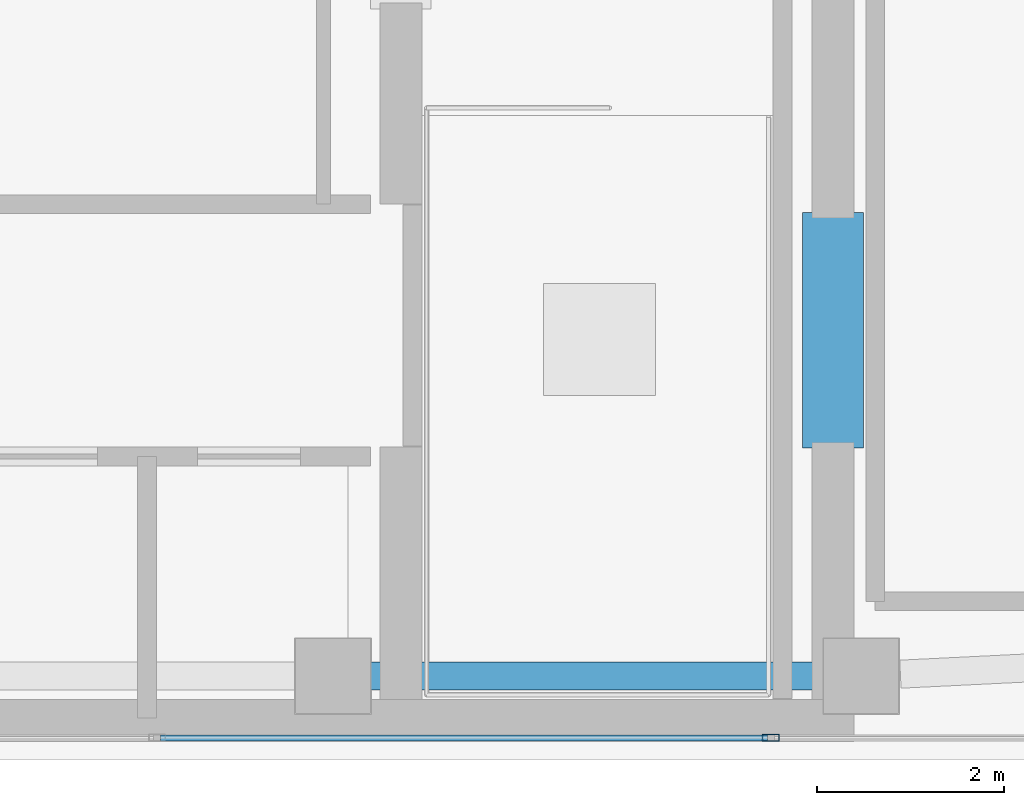
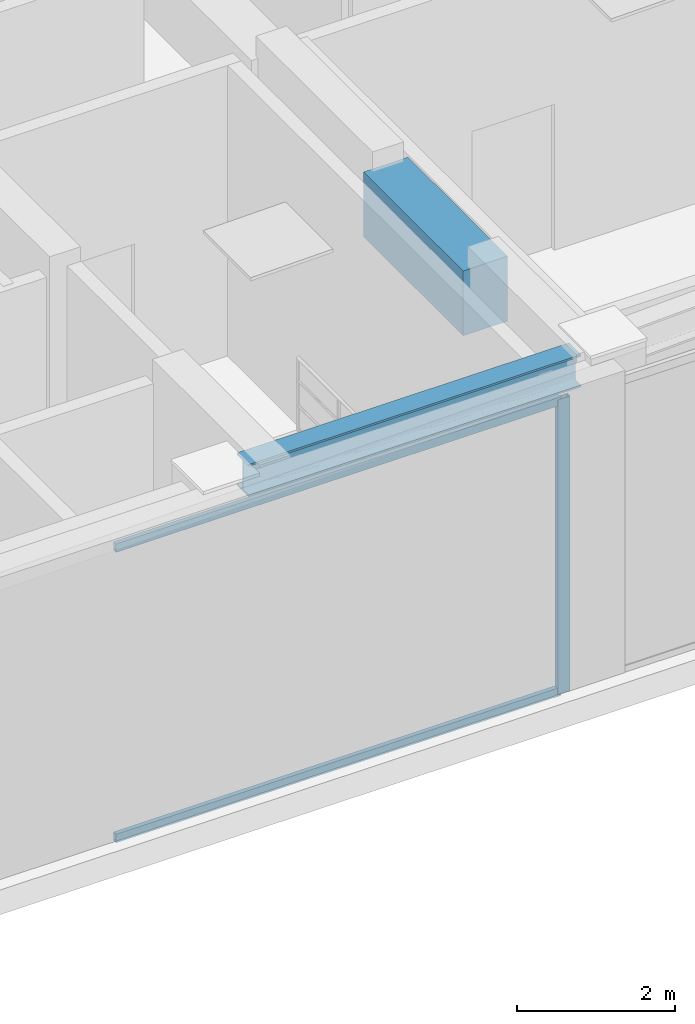
# One storey, part 3 of 22: 3 members, 2 beams, 1 element without a shape of its own.
"""IFC4 building model written with IfcOpenShell, lengths in metres."""

from ifc_helpers import new_model, si_unit, direction, frame, origin, origin_with_axes, origin_2d, place, context, subcontext, project, spatial, rectangle, hollow_rectangle, i_section, extrude, source, transform, mapped, material, layer, layer_set, material_profile, profile_set, type_object, element, aggregate, save


model = new_model("IFC4")

# Units and contexts
model_context = context("Model", 3, precision=1e-05, world=origin(), true_north=direction((0.0, 1.0)))
body_context = subcontext(model_context, "Body", "Model", "MODEL_VIEW")
ifc_project = project(units=[si_unit("LENGTHUNIT", "METRE"), si_unit("AREAUNIT", "SQUARE_METRE"), si_unit("VOLUMEUNIT", "CUBIC_METRE"), si_unit("PLANEANGLEUNIT", "RADIAN"), si_unit("MASSUNIT", "GRAM", prefix="KILO")], contexts=[model_context])

# Site, building, storey
site_placement = place(None, origin())
site = spatial("IfcSite", under=ifc_project, at=site_placement, CompositionType="ELEMENT")
building_placement = place(site_placement, origin())
building = spatial("IfcBuilding", under=site, at=building_placement, Name="Kolvaren Waterfront Exchange", CompositionType="ELEMENT")
storey_placement = place(building_placement, frame((0.0, 0.0, 360.39990234375)))
storey = spatial("IfcBuildingStorey", under=building, at=storey_placement, Name="RF", CompositionType="ELEMENT", Elevation=360.39990234375)

# Beams
ifc_material_1 = material(Name="Steel S355", Category="steel")
ifc_material_profile_1 = material_profile(ifc_material_1, i_section(OverallWidth=0.300048828125, OverallDepth=0.5, WebThickness=0.014404296875, FlangeThickness=0.028076171875, FilletRadius=0.027099609375, at=origin_2d()), Name="HEB500")
ifc_profile_set_1 = profile_set([ifc_material_profile_1], Name="Steel S355")
beam_type_1 = type_object("IfcBeamType", Name="STR-BM-HEB500", PredefinedType="BEAM", material=ifc_profile_set_1)
beam_1_placement = place(storey_placement, frame((15.85205078125, 4.89990234375, 4.434326171875), z_axis=(1.0, 0.0, 0.0), x_axis=(0.0, 1.0, 0.0)))
element("IfcBeam", 1, at=beam_1_placement, inside=storey, type_object=beam_type_1, Name="RF crown roof girder 2", PredefinedType="SPANDREL", context=body_context, shape_type="SweptSolid", body=[
    extrude(i_section(OverallWidth=0.300048828125, OverallDepth=0.5, WebThickness=0.014404296875, FlangeThickness=0.028076171875, FilletRadius=0.027099609375, at=origin_2d()), origin(), (0.0, 0.0, 1.0), 4.845947265625),
])
ifc_material_2 = material(Name="Concrete C60/75", Category="concrete")
ifc_material_profile_2 = material_profile(ifc_material_2, rectangle(XDim=0.64990234375, YDim=1.0, at=origin_2d()), Name="RC-CB-1000x650")
ifc_profile_set_2 = profile_set([ifc_material_profile_2], Name="Concrete C60/75")
beam_type_2 = type_object("IfcBeamType", Name="STR-CB-1000", PredefinedType="SPANDREL", material=ifc_profile_set_2)
beam_2_placement = place(storey_placement, frame((20.800048828125, 7.340087890625, 3.97998046875), z_axis=(0.0, 1.0, 0.0), x_axis=(-1.0, 0.0, 0.0)))
element("IfcBeam", 2, at=beam_2_placement, inside=storey, type_object=beam_type_2, Name="RF core coupling beam 1", PredefinedType="SPANDREL", context=body_context, shape_type="SweptSolid", body=[
    extrude(rectangle(XDim=0.64990234375, YDim=1.0, at=origin_2d()), origin(), (0.0, 0.0, 1.0), 2.52001953125),
])

# Curtain wall, members
ifc_material_3 = material(Name="Anodised bronze aluminium 6063-T6", Category="aluminium")
ifc_layer = layer(ifc_material_3, 0.219970703125, Name="Anodised bronze aluminium 6063-T6")
ifc_layer_set = layer_set([ifc_layer], Name="Anodised bronze aluminium 6063-T6")
curtain_wall_type = type_object("IfcCurtainWallType", Name="ARC-CW-SYS5", PredefinedType="USERDEFINED", material=ifc_layer_set)
curtain_wall_placement = place(storey_placement, origin())
curtain_wall = element("IfcCurtainWall", 3, at=curtain_wall_placement, inside=storey, type_object=curtain_wall_type, Name="RF stick curtain wall CW5 (CW-RF-S1)", ObjectType="STICK CURTAIN WALL", PredefinedType="USERDEFINED")
ifc_material_profile_3 = material_profile(ifc_material_3, hollow_rectangle(XDim=0.074951171875, YDim=0.179931640625, WallThickness=0.00439453125, at=origin_2d()), Name="ALU-MUL-180x75x4.5")
ifc_profile_set_3 = profile_set([ifc_material_profile_3], Name="Anodised bronze aluminium 6063-T6")
member_type_1 = type_object("IfcMemberType", Name="ARC-CWM-180", PredefinedType="MULLION", material=ifc_profile_set_3)
shared_shape_1 = source(origin_with_axes(), body_context, "Body", "SweptSolid", [
    extrude(hollow_rectangle(XDim=0.074951171875, YDim=0.179931640625, WallThickness=0.00439453125, at=origin_2d()), origin(), (0.0, 0.0, 1.0), 4.542236328125),
])
member_1_placement = place(storey_placement, frame((20.13330078125, 4.239990234375, 0.0), z_axis=(0.0, 0.0, 1.0), x_axis=(0.0, 1.0, 0.0)))
member_1 = element("IfcMember", 4, at=member_1_placement, type_object=member_type_1, Name="CW5 mullion 3", PredefinedType="MULLION", context=body_context, shape_type="MappedRepresentation", body=[
    mapped(shared_shape_1, transform((0.0, 0.0, 0.0), x_axis=(1.0, 0.0, 0.0), y_axis=(0.0, 1.0, 0.0), z_axis=(0.0, 0.0, 1.0), scale=1.0)),
])
ifc_material_profile_4 = material_profile(ifc_material_3, hollow_rectangle(XDim=0.06494140625, YDim=0.1298828125, WallThickness=0.00390625, at=origin_2d()), Name="ALU-TRN-130x65x4")
ifc_profile_set_4 = profile_set([ifc_material_profile_4], Name="Anodised bronze aluminium 6063-T6")
member_type_2 = type_object("IfcMemberType", Name="ARC-CWT-130", PredefinedType="USERDEFINED", material=ifc_profile_set_4)
shared_shape_2 = source(origin_with_axes(), body_context, "Body", "SweptSolid", [
    extrude(hollow_rectangle(XDim=0.06494140625, YDim=0.1298828125, WallThickness=0.00390625, at=origin_2d()), origin(), (0.0, 0.0, 1.0), 6.49169921875),
])
member_2_placement = place(storey_placement, frame((13.604248046875, 4.239990234375, 0.03271484375), z_axis=(1.0, 0.0, 0.0), x_axis=(0.0, 1.0, 0.0)))
member_2 = element("IfcMember", 5, at=member_2_placement, type_object=member_type_2, Name="CW5 transom 2.1", ObjectType="TRANSOM", PredefinedType="USERDEFINED", context=body_context, shape_type="MappedRepresentation", body=[
    mapped(shared_shape_2, transform((0.0, 0.0, 0.0), x_axis=(1.0, 0.0, 0.0), y_axis=(0.0, 1.0, 0.0), z_axis=(0.0, 0.0, 1.0), scale=1.0)),
])
member_3_placement = place(storey_placement, frame((13.604248046875, 4.239990234375, 4.509765625), z_axis=(1.0, 0.0, 0.0), x_axis=(0.0, 1.0, 0.0)))
member_3 = element("IfcMember", 6, at=member_3_placement, type_object=member_type_2, Name="CW5 transom 2.2", ObjectType="TRANSOM", PredefinedType="USERDEFINED", context=body_context, shape_type="MappedRepresentation", body=[
    mapped(shared_shape_2, transform((0.0, 0.0, 0.0), x_axis=(1.0, 0.0, 0.0), y_axis=(0.0, 1.0, 0.0), z_axis=(0.0, 0.0, 1.0), scale=1.0)),
])
aggregate(curtain_wall, [member_1, member_2, member_3])

save(model, "model.ifc")
